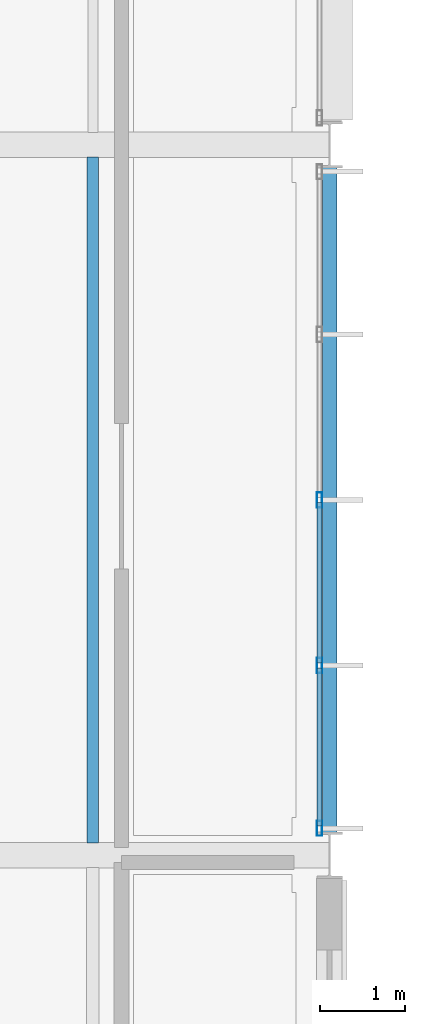
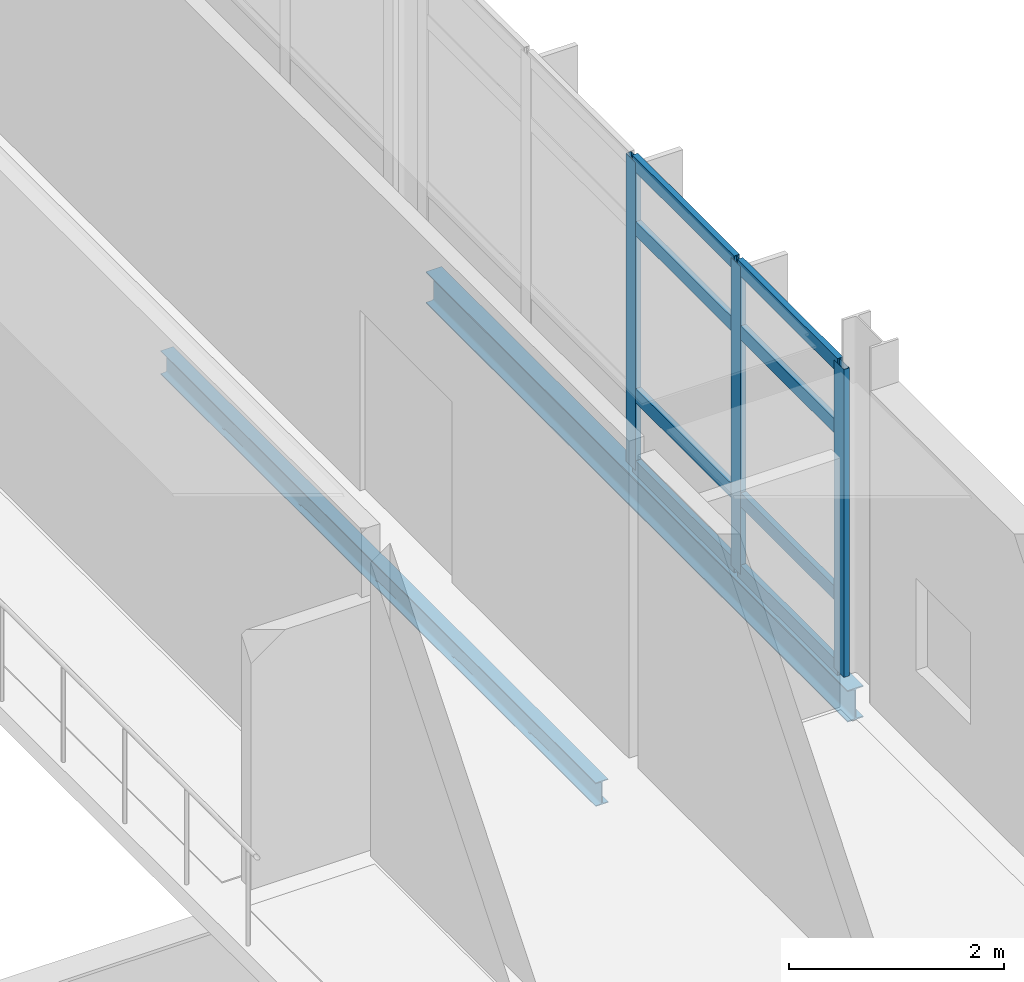
# One storey, part 55 of 131: 11 members, 2 beams, 1 element without a shape of its own.
"""IFC4 building model written with IfcOpenShell, lengths in metres."""

import ifcopenshell
import ifcopenshell.guid

model = None  # the IFC model being written
_history = None  # IfcOwnerHistory: only IFC2X3 demands one
_inside = {}  # id of a spatial element -> (the spatial element, [elements in it])
_under = {}  # id of a project, library or spatial element -> (it, [spatial elements below it])
_declared = {}  # id of a project -> (the project, [libraries it declares])
_typed = {}  # id of a type object -> (the type object, [elements of that type])
_made_of = {}  # id of a material, layer set ... -> (it, [elements and type objects made of it])


def new_model(schema):
    """Start an empty IFC model of exactly this schema.

    Asked for "IFC4X3", IfcOpenShell would pick the latest addendum, in which some entities
    have other attributes; the version numbers below select the first issue.
    IFC2X3 requires an IfcOwnerHistory on every rooted entity: one is made here for all.
    """
    global model, _history
    if schema == "IFC4X3":
        model = ifcopenshell.file(schema_version=(4, 3, 0, 0))
    else:
        model = ifcopenshell.file(schema=schema)
    _inside.clear()
    _under.clear()
    _declared.clear()
    _typed.clear()
    _made_of.clear()
    _history = None
    if model.schema == "IFC2X3":
        org = make("IfcOrganization", Name="unknown")
        user = make(
            "IfcPersonAndOrganization",
            ThePerson=make("IfcPerson", FamilyName="unknown"),
            TheOrganization=org,
        )
        app = make(
            "IfcApplication",
            ApplicationDeveloper=org,
            Version="unknown",
            ApplicationFullName="unknown",
            ApplicationIdentifier="unknown",
        )
        _history = make(
            "IfcOwnerHistory",
            OwningUser=user,
            OwningApplication=app,
            ChangeAction="ADDED",
            CreationDate=0,
        )
    return model


def make(cls, **values):
    """One entity of the class cls with the attributes given. An attribute that is None is left unset."""
    return model.create_entity(
        cls, **{name: value for name, value in values.items() if value is not None}
    )


def rooted(cls, **values):
    """An entity with a GlobalId (a new one), such as an element, a storey or a relation."""
    return make(cls, GlobalId=ifcopenshell.guid.new(), OwnerHistory=_history, **values)


def si_unit(unit_type, name, prefix=None):
    """IfcSIUnit, for example si_unit("LENGTHUNIT", "METRE", prefix="MILLI")."""
    return make("IfcSIUnit", UnitType=unit_type, Prefix=prefix, Name=name)


def assignment(units):
    """IfcUnitAssignment: the units of a project."""
    return None if units is None else make("IfcUnitAssignment", Units=units)


def point(xyz):
    """IfcCartesianPoint."""
    return None if xyz is None else make("IfcCartesianPoint", Coordinates=xyz)


def direction(xyz):
    """IfcDirection."""
    return None if xyz is None else make("IfcDirection", DirectionRatios=xyz)


def frame(location, z_axis=None, x_axis=None):
    """IfcAxis2Placement3D, a coordinate frame: its origin and axes. An axis left out is left unset."""
    return make(
        "IfcAxis2Placement3D",
        Location=point(location),
        Axis=direction(z_axis),
        RefDirection=direction(x_axis),
    )


def frame_2d(location, x_axis=None):
    """IfcAxis2Placement2D, a coordinate frame in the plane: its origin and x axis."""
    return make(
        "IfcAxis2Placement2D", Location=point(location), RefDirection=direction(x_axis)
    )


def origin():
    """The frame at (0, 0, 0) with its axes left unset."""
    return frame((0.0, 0.0, 0.0))


def origin_2d():
    """The frame at (0, 0) in the plane with its x axis left unset."""
    return frame_2d((0.0, 0.0))


def place(relative_to, where):
    """IfcLocalPlacement: puts the frame where relative to a parent placement (None: the world)."""
    return make(
        "IfcLocalPlacement", PlacementRelTo=relative_to, RelativePlacement=where
    )


def context(
    kind, dimensions, precision=None, world=None, true_north=None, identifier=None
):
    """IfcGeometricRepresentationContext, for example the 3D "Model" context."""
    return make(
        "IfcGeometricRepresentationContext",
        ContextIdentifier=identifier,
        ContextType=kind,
        CoordinateSpaceDimension=dimensions,
        Precision=precision,
        WorldCoordinateSystem=world,
        TrueNorth=true_north,
    )


def subcontext(parent, identifier, kind, view, scale=None):
    """IfcGeometricRepresentationSubContext, for example "Body" below "Model"."""
    return make(
        "IfcGeometricRepresentationSubContext",
        ContextIdentifier=identifier,
        ContextType=kind,
        ParentContext=parent,
        TargetScale=scale,
        TargetView=view,
    )


def project(units=None, contexts=None):
    """IfcProject with its units and contexts."""
    return rooted(
        "IfcProject",
        Name="project",
        RepresentationContexts=contexts,
        UnitsInContext=assignment(units),
    )


def spatial(cls, under=None, at=None, **own):
    """A site, building, storey or space (cls), placed at a placement, below another one or the project."""
    s = rooted(cls, ObjectPlacement=at, **own)
    if under is not None:
        _under.setdefault(under.id(), (under, []))[1].append(s)
    return s


def profile(cls, at=None, kind="AREA", **sizes):
    """A parametric profile (cls). Its sizes go by their IFC names, for example OverallWidth=200.0."""
    return make(cls, ProfileType=kind, Position=at, **sizes)


def hollow_rectangle(**sizes):
    """IfcRectangleHollowProfileDef."""
    return profile("IfcRectangleHollowProfileDef", **sizes)


def i_section(**sizes):
    """IfcIShapeProfileDef."""
    return profile("IfcIShapeProfileDef", **sizes)


def extrude(swept, where, along, depth):
    """IfcExtrudedAreaSolid: the profile swept, set in the frame where, extruded along a direction by depth."""
    return make(
        "IfcExtrudedAreaSolid",
        SweptArea=swept,
        Position=where,
        ExtrudedDirection=direction(along),
        Depth=depth,
    )


def shape(context_of_items, identifier, shape_type, items):
    """IfcShapeRepresentation: the items that make up one representation, for example the "Body"."""
    return make(
        "IfcShapeRepresentation",
        ContextOfItems=context_of_items,
        RepresentationIdentifier=identifier,
        RepresentationType=shape_type,
        Items=items,
    )


def material(Name=None, Category=None):
    """IfcMaterial."""
    return make("IfcMaterial", Name=Name, Category=Category)


def material_profile(
    of_material, cross_section, Name=None, Category=None, Priority=None
):
    """IfcMaterialProfile: a cross section and its material."""
    return make(
        "IfcMaterialProfile",
        Name=Name,
        Material=of_material,
        Profile=cross_section,
        Priority=Priority,
        Category=Category,
    )


def profile_set(profiles, Name=None, composite=None):
    """IfcMaterialProfileSet."""
    return make(
        "IfcMaterialProfileSet",
        Name=Name,
        MaterialProfiles=profiles,
        CompositeProfile=composite,
    )


def made_of(thing, what):
    """Note that an element or type object is made of a material, layer set ...; save() writes the relation."""
    if what is not None:
        _made_of.setdefault(what.id(), (what, []))[1].append(thing)
    return thing


def type_object(cls, material=None, **own):
    """A type object (cls), such as IfcWallType, which elements share."""
    return made_of(rooted(cls, **own), material)


def element(
    cls,
    number,
    at=None,
    inside=None,
    cuts=None,
    type_object=None,
    material=None,
    context=None,
    identifier="Body",
    shape_type=None,
    held_by="IfcProductDefinitionShape",
    body=None,
    shapes=None,
    **own,
):
    """One element of the class cls, such as IfcWall. Its Tag is "e" and its number.

    at: its placement. inside: the storey or other place that contains it. cuts: it is an
    opening in that element (IfcRelVoidsElement). A single representation is given by context,
    identifier, shape_type and body (its items); several are given by shapes. held_by: the class
    of the entity that holds the representations. save() writes the other relations.
    """
    e = rooted(cls, Tag="e%d" % number, ObjectPlacement=at, **own)
    if body is not None:
        shapes = [shape(context, identifier, shape_type, body)]
    if shapes is not None:
        e.Representation = make(held_by, Representations=shapes)
    if inside is not None:
        _inside.setdefault(inside.id(), (inside, []))[1].append(e)
    if cuts is not None:
        rooted(
            "IfcRelVoidsElement", RelatingBuildingElement=cuts, RelatedOpeningElement=e
        )
    if type_object is not None:
        _typed.setdefault(type_object.id(), (type_object, []))[1].append(e)
    return made_of(e, material)


def aggregate(whole, parts):
    """IfcRelAggregates: a whole, such as a stair, and the parts it consists of."""
    return rooted("IfcRelAggregates", RelatingObject=whole, RelatedObjects=parts)


def save(model, path):
    """Write the relations noted so far, then the file.

    IfcRelAggregates (storeys below a building ...), IfcRelContainedInSpatialStructure (elements
    in a storey), IfcRelDefinesByType, IfcRelAssociatesMaterial and IfcRelDeclares: one each for
    every whole, place, type object, material and project.
    """
    for whole, parts in _under.values():
        aggregate(whole, parts)
    for where, things in _inside.values():
        rooted(
            "IfcRelContainedInSpatialStructure",
            RelatedElements=things,
            RelatingStructure=where,
        )
    for kind, things in _typed.values():
        rooted("IfcRelDefinesByType", RelatedObjects=things, RelatingType=kind)
    for what, things in _made_of.values():
        rooted("IfcRelAssociatesMaterial", RelatedObjects=things, RelatingMaterial=what)
    for by, libraries in _declared.values():
        rooted("IfcRelDeclares", RelatingContext=by, RelatedDefinitions=libraries)
    model.write(path)


model = new_model("IFC4")

# Units and contexts
model_context = context("Model", 3, precision=1e-05, world=origin(), true_north=direction((0.0, 1.0)))
body_context = subcontext(model_context, "Body", "Model", "MODEL_VIEW")
ifc_project = project(units=[si_unit("LENGTHUNIT", "METRE"), si_unit("AREAUNIT", "SQUARE_METRE"), si_unit("VOLUMEUNIT", "CUBIC_METRE"), si_unit("PLANEANGLEUNIT", "RADIAN"), si_unit("MASSUNIT", "GRAM", prefix="KILO")], contexts=[model_context])

# Site, building, storey
site_placement = place(None, origin())
site = spatial("IfcSite", under=ifc_project, at=site_placement, CompositionType="ELEMENT")
building_placement = place(site_placement, origin())
building = spatial("IfcBuilding", under=site, at=building_placement, Name="Mersafa Astral City Hall", CompositionType="ELEMENT")
storey_placement = place(building_placement, frame((0.0, 0.0, 13.949951171875)))
storey = spatial("IfcBuildingStorey", under=building, at=storey_placement, Name="L03", CompositionType="ELEMENT", Elevation=13.949951171875)

# Curtain wall, members
ifc_material_1 = material(Name="Anodised bronze aluminium framing", Category="aluminium")
curtain_wall_type = type_object("IfcCurtainWallType", Name="ENV-CW-5", PredefinedType="USERDEFINED", material=ifc_material_1)
curtain_wall_placement = place(storey_placement, origin())
curtain_wall = element("IfcCurtainWall", 1, at=curtain_wall_placement, inside=storey, type_object=curtain_wall_type, Name="L03 Unitised solar curtain wall 154", ObjectType="UNITISED CURTAIN WALL", PredefinedType="USERDEFINED")
ifc_material_profile_1 = material_profile(ifc_material_1, hollow_rectangle(XDim=0.06005859375, YDim=0.179931640625, WallThickness=0.00390625, at=origin_2d()), Name="RHS 60x180x4")
ifc_profile_set_1 = profile_set([ifc_material_profile_1], Name="Anodised bronze aluminium framing")
member_type_1 = type_object("IfcMemberType", Name="ENV-CW-MUL-1", PredefinedType="MULLION", material=ifc_profile_set_1)
member_1_placement = place(storey_placement, frame((117.47998046875, 67.51708984375, -0.001953125), z_axis=(0.0, 0.0, 1.0), x_axis=(-1.0, 0.0, 0.0)))
member_1 = element("IfcMember", 2, at=member_1_placement, type_object=member_type_1, Name="CW-5 mullion 1", PredefinedType="MULLION", context=body_context, shape_type="SweptSolid", body=[
    extrude(hollow_rectangle(XDim=0.06005859375, YDim=0.179931640625, WallThickness=0.00390625, at=origin_2d()), origin(), (0.0, 0.0, 1.0), 3.50390625),
])
member_2_placement = place(storey_placement, frame((117.47998046875, 69.443603515625, -0.001953125), z_axis=(0.0, 0.0, 1.0), x_axis=(-1.0, 0.0, 0.0)))
member_2 = element("IfcMember", 3, at=member_2_placement, type_object=member_type_1, Name="CW-5 mullion 2", PredefinedType="MULLION", context=body_context, shape_type="SweptSolid", body=[
    extrude(hollow_rectangle(XDim=0.06005859375, YDim=0.179931640625, WallThickness=0.00390625, at=origin_2d()), origin(), (0.0, 0.0, 1.0), 3.50390625),
])
member_3_placement = place(storey_placement, frame((117.47998046875, 71.39990234375, -0.001953125), z_axis=(0.0, 0.0, 1.0), x_axis=(-1.0, 0.0, 0.0)))
member_3 = element("IfcMember", 4, at=member_3_placement, type_object=member_type_1, Name="CW-5 mullion 3", PredefinedType="MULLION", context=body_context, shape_type="SweptSolid", body=[
    extrude(hollow_rectangle(XDim=0.06005859375, YDim=0.179931640625, WallThickness=0.00390625, at=origin_2d()), origin(), (0.0, 0.0, 1.0), 3.50390625),
])
ifc_material_profile_2 = material_profile(ifc_material_1, hollow_rectangle(XDim=0.06005859375, YDim=0.159912109375, WallThickness=0.00390625, at=origin_2d()), Name="RHS 60x160x4")
ifc_profile_set_2 = profile_set([ifc_material_profile_2], Name="Anodised bronze aluminium framing")
member_type_2 = type_object("IfcMemberType", Name="ENV-CW-TRN-2", PredefinedType="USERDEFINED", material=ifc_profile_set_2)
member_4_placement = place(storey_placement, frame((117.47998046875, 67.547119140625, 0.028076171875), z_axis=(0.0, 1.0, 0.0), x_axis=(-1.0, 0.0, 0.0)))
member_4 = element("IfcMember", 5, at=member_4_placement, type_object=member_type_2, Name="CW-5 transom 1.1", ObjectType="TRANSOM", PredefinedType="USERDEFINED", context=body_context, shape_type="SweptSolid", body=[
    extrude(hollow_rectangle(XDim=0.06005859375, YDim=0.159912109375, WallThickness=0.00390625, at=origin_2d()), origin(), (0.0, 0.0, 1.0), 1.866455078125),
])
member_5_placement = place(storey_placement, frame((117.47998046875, 67.547119140625, 0.85009765625), z_axis=(0.0, 1.0, 0.0), x_axis=(-1.0, 0.0, 0.0)))
member_5 = element("IfcMember", 6, at=member_5_placement, type_object=member_type_2, Name="CW-5 transom 1.2", ObjectType="TRANSOM", PredefinedType="USERDEFINED", context=body_context, shape_type="SweptSolid", body=[
    extrude(hollow_rectangle(XDim=0.06005859375, YDim=0.159912109375, WallThickness=0.00390625, at=origin_2d()), origin(), (0.0, 0.0, 1.0), 1.866455078125),
])
member_6_placement = place(storey_placement, frame((117.47998046875, 67.547119140625, 2.75), z_axis=(0.0, 1.0, 0.0), x_axis=(-1.0, 0.0, 0.0)))
member_6 = element("IfcMember", 7, at=member_6_placement, type_object=member_type_2, Name="CW-5 transom 1.3", ObjectType="TRANSOM", PredefinedType="USERDEFINED", context=body_context, shape_type="SweptSolid", body=[
    extrude(hollow_rectangle(XDim=0.06005859375, YDim=0.159912109375, WallThickness=0.00390625, at=origin_2d()), origin(), (0.0, 0.0, 1.0), 1.866455078125),
])
member_7_placement = place(storey_placement, frame((117.47998046875, 67.547119140625, 3.47216796875), z_axis=(0.0, 1.0, 0.0), x_axis=(-1.0, 0.0, 0.0)))
member_7 = element("IfcMember", 8, at=member_7_placement, type_object=member_type_2, Name="CW-5 transom 1.4", ObjectType="TRANSOM", PredefinedType="USERDEFINED", context=body_context, shape_type="SweptSolid", body=[
    extrude(hollow_rectangle(XDim=0.06005859375, YDim=0.159912109375, WallThickness=0.00390625, at=origin_2d()), origin(), (0.0, 0.0, 1.0), 1.866455078125),
])
member_8_placement = place(storey_placement, frame((117.47998046875, 69.473388671875, 0.028076171875), z_axis=(0.0, 1.0, 0.0), x_axis=(-1.0, 0.0, 0.0)))
member_8 = element("IfcMember", 9, at=member_8_placement, type_object=member_type_2, Name="CW-5 transom 2.1", ObjectType="TRANSOM", PredefinedType="USERDEFINED", context=body_context, shape_type="SweptSolid", body=[
    extrude(hollow_rectangle(XDim=0.06005859375, YDim=0.159912109375, WallThickness=0.00390625, at=origin_2d()), origin(), (0.0, 0.0, 1.0), 1.896728515625),
])
member_9_placement = place(storey_placement, frame((117.47998046875, 69.473388671875, 0.85009765625), z_axis=(0.0, 1.0, 0.0), x_axis=(-1.0, 0.0, 0.0)))
member_9 = element("IfcMember", 10, at=member_9_placement, type_object=member_type_2, Name="CW-5 transom 2.2", ObjectType="TRANSOM", PredefinedType="USERDEFINED", context=body_context, shape_type="SweptSolid", body=[
    extrude(hollow_rectangle(XDim=0.06005859375, YDim=0.159912109375, WallThickness=0.00390625, at=origin_2d()), origin(), (0.0, 0.0, 1.0), 1.896728515625),
])
member_10_placement = place(storey_placement, frame((117.47998046875, 69.473388671875, 2.75), z_axis=(0.0, 1.0, 0.0), x_axis=(-1.0, 0.0, 0.0)))
member_10 = element("IfcMember", 11, at=member_10_placement, type_object=member_type_2, Name="CW-5 transom 2.3", ObjectType="TRANSOM", PredefinedType="USERDEFINED", context=body_context, shape_type="SweptSolid", body=[
    extrude(hollow_rectangle(XDim=0.06005859375, YDim=0.159912109375, WallThickness=0.00390625, at=origin_2d()), origin(), (0.0, 0.0, 1.0), 1.896728515625),
])
member_11_placement = place(storey_placement, frame((117.47998046875, 69.473388671875, 3.47216796875), z_axis=(0.0, 1.0, 0.0), x_axis=(-1.0, 0.0, 0.0)))
member_11 = element("IfcMember", 12, at=member_11_placement, type_object=member_type_2, Name="CW-5 transom 2.4", ObjectType="TRANSOM", PredefinedType="USERDEFINED", context=body_context, shape_type="SweptSolid", body=[
    extrude(hollow_rectangle(XDim=0.06005859375, YDim=0.159912109375, WallThickness=0.00390625, at=origin_2d()), origin(), (0.0, 0.0, 1.0), 1.896728515625),
])
aggregate(curtain_wall, [member_1, member_2, member_3, member_4, member_5, member_6, member_7, member_8, member_9, member_10, member_11])

# Beams
ifc_material_2 = material(Name="Steel S355", Category="steel")
ifc_material_profile_3 = material_profile(ifc_material_2, i_section(OverallWidth=0.135009765625, OverallDepth=0.27001953125, WebThickness=0.006591796875, FlangeThickness=0.01025390625, FilletRadius=0.014892578125, at=origin_2d()), Name="IPE 270")
ifc_profile_set_3 = profile_set([ifc_material_profile_3], Name="Steel S355")
beam_type_1 = type_object("IfcBeamType", Name="STR-BM-JOIST-IPE270", PredefinedType="JOIST", material=ifc_profile_set_3)
beam_1_placement = place(storey_placement, frame((114.800048828125, 67.344970703125, -0.3349609375), z_axis=(0.0, 1.0, 0.0), x_axis=(-1.0, 0.0, 0.0)))
element("IfcBeam", 13, at=beam_1_placement, inside=storey, type_object=beam_type_1, Name="L03 Composite secondary floor joist 617", PredefinedType="JOIST", context=body_context, shape_type="SweptSolid", body=[
    extrude(i_section(OverallWidth=0.135009765625, OverallDepth=0.27001953125, WebThickness=0.006591796875, FlangeThickness=0.01025390625, FilletRadius=0.014892578125, at=origin_2d()), origin(), (0.0, 0.0, 1.0), 8.110107421875),
])
ifc_material_profile_4 = material_profile(ifc_material_2, i_section(OverallWidth=0.169921875, OverallDepth=0.360107421875, WebThickness=0.008056640625, FlangeThickness=0.0126953125, FilletRadius=0.01806640625, at=origin_2d()), Name="IPE 360")
ifc_profile_set_4 = profile_set([ifc_material_profile_4], Name="Steel S355")
beam_type_2 = type_object("IfcBeamType", Name="STR-BM-SPANDREL-IPE360", PredefinedType="SPANDREL", material=ifc_profile_set_4)
beam_2_placement = place(storey_placement, frame((117.60009765625, 67.469970703125, -0.3798828125), z_axis=(0.0, 1.0, 0.0), x_axis=(-1.0, 0.0, 0.0)))
element("IfcBeam", 14, at=beam_2_placement, inside=storey, type_object=beam_type_2, Name="L03 Primary girder Y 14-8", PredefinedType="SPANDREL", context=body_context, shape_type="SweptSolid", body=[
    extrude(i_section(OverallWidth=0.169921875, OverallDepth=0.360107421875, WebThickness=0.008056640625, FlangeThickness=0.0126953125, FilletRadius=0.01806640625, at=origin_2d()), origin(), (0.0, 0.0, 1.0), 7.860107421875),
])

save(model, "model.ifc")
